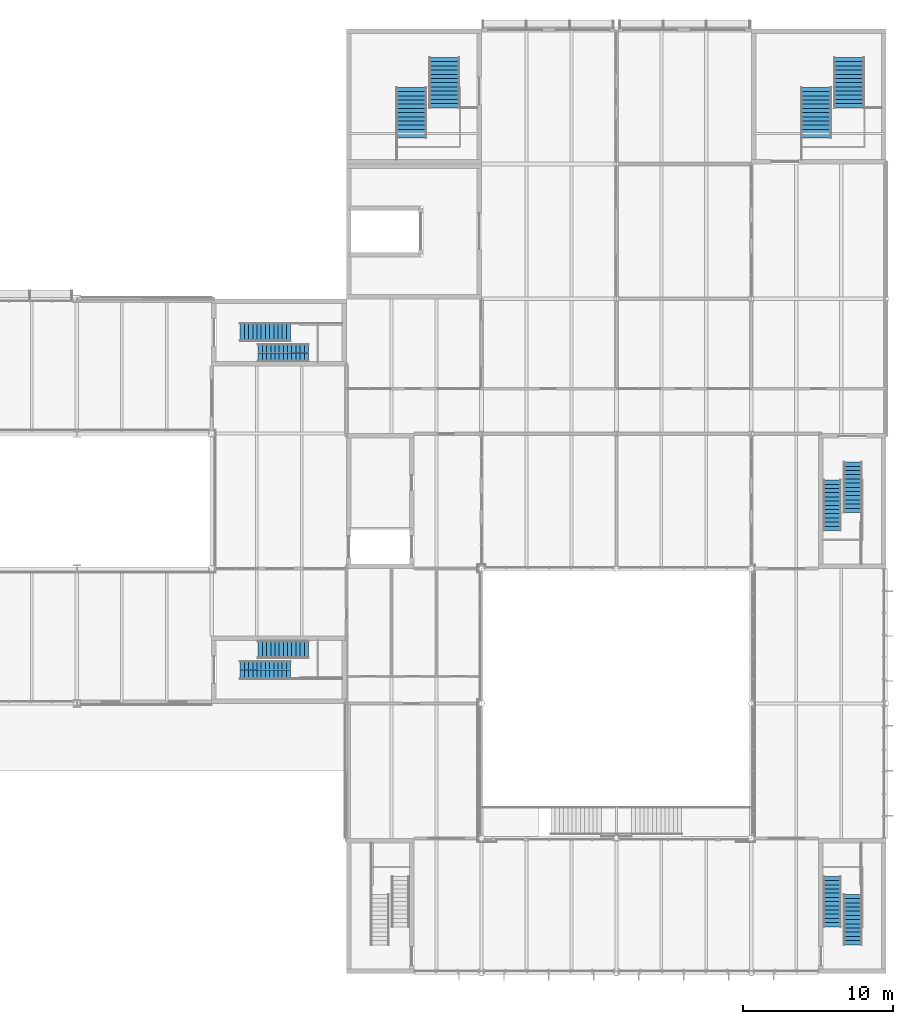
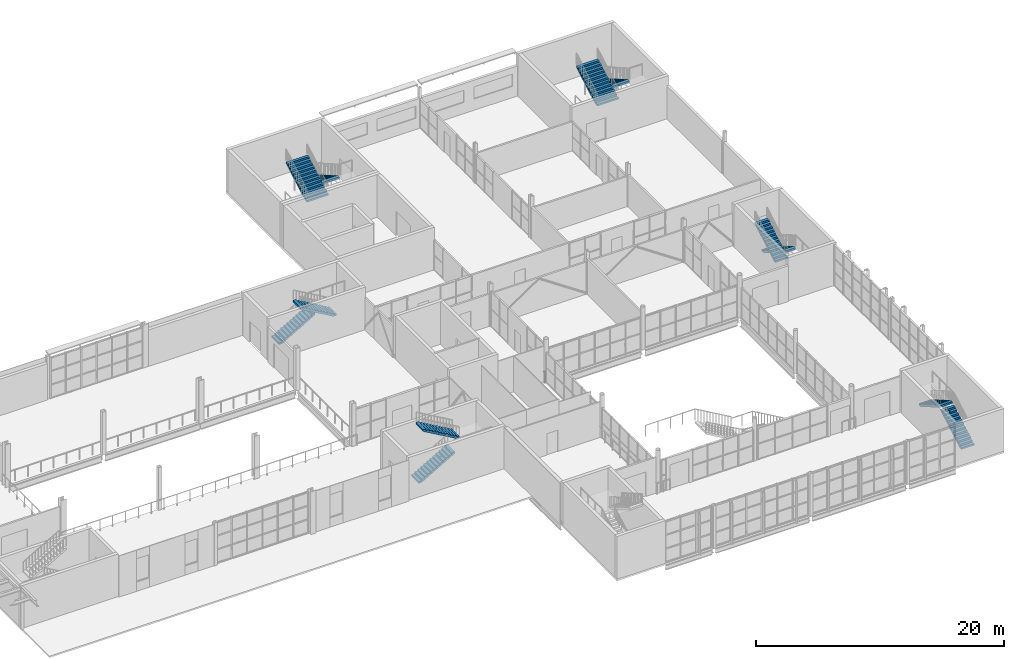
# One storey, part 38 of 57: 12 stair flights, 6 elements without a shape of their own.
"""IFC4 building model written with IfcOpenShell, lengths in metres."""

import ifcopenshell
import ifcopenshell.guid

model = None  # the IFC model being written
_history = None  # IfcOwnerHistory: only IFC2X3 demands one
_inside = {}  # id of a spatial element -> (the spatial element, [elements in it])
_under = {}  # id of a project, library or spatial element -> (it, [spatial elements below it])
_declared = {}  # id of a project -> (the project, [libraries it declares])
_typed = {}  # id of a type object -> (the type object, [elements of that type])
_made_of = {}  # id of a material, layer set ... -> (it, [elements and type objects made of it])


def new_model(schema):
    """Start an empty IFC model of exactly this schema.

    Asked for "IFC4X3", IfcOpenShell would pick the latest addendum, in which some entities
    have other attributes; the version numbers below select the first issue.
    IFC2X3 requires an IfcOwnerHistory on every rooted entity: one is made here for all.
    """
    global model, _history
    if schema == "IFC4X3":
        model = ifcopenshell.file(schema_version=(4, 3, 0, 0))
    else:
        model = ifcopenshell.file(schema=schema)
    _inside.clear()
    _under.clear()
    _declared.clear()
    _typed.clear()
    _made_of.clear()
    _history = None
    if model.schema == "IFC2X3":
        org = make("IfcOrganization", Name="unknown")
        user = make(
            "IfcPersonAndOrganization",
            ThePerson=make("IfcPerson", FamilyName="unknown"),
            TheOrganization=org,
        )
        app = make(
            "IfcApplication",
            ApplicationDeveloper=org,
            Version="unknown",
            ApplicationFullName="unknown",
            ApplicationIdentifier="unknown",
        )
        _history = make(
            "IfcOwnerHistory",
            OwningUser=user,
            OwningApplication=app,
            ChangeAction="ADDED",
            CreationDate=0,
        )
    return model


def make(cls, **values):
    """One entity of the class cls with the attributes given. An attribute that is None is left unset."""
    return model.create_entity(
        cls, **{name: value for name, value in values.items() if value is not None}
    )


def rooted(cls, **values):
    """An entity with a GlobalId (a new one), such as an element, a storey or a relation."""
    return make(cls, GlobalId=ifcopenshell.guid.new(), OwnerHistory=_history, **values)


def si_unit(unit_type, name, prefix=None):
    """IfcSIUnit, for example si_unit("LENGTHUNIT", "METRE", prefix="MILLI")."""
    return make("IfcSIUnit", UnitType=unit_type, Prefix=prefix, Name=name)


def assignment(units):
    """IfcUnitAssignment: the units of a project."""
    return None if units is None else make("IfcUnitAssignment", Units=units)


def point(xyz):
    """IfcCartesianPoint."""
    return None if xyz is None else make("IfcCartesianPoint", Coordinates=xyz)


def direction(xyz):
    """IfcDirection."""
    return None if xyz is None else make("IfcDirection", DirectionRatios=xyz)


def frame(location, z_axis=None, x_axis=None):
    """IfcAxis2Placement3D, a coordinate frame: its origin and axes. An axis left out is left unset."""
    return make(
        "IfcAxis2Placement3D",
        Location=point(location),
        Axis=direction(z_axis),
        RefDirection=direction(x_axis),
    )


def origin():
    """The frame at (0, 0, 0) with its axes left unset."""
    return frame((0.0, 0.0, 0.0))


def place(relative_to, where):
    """IfcLocalPlacement: puts the frame where relative to a parent placement (None: the world)."""
    return make(
        "IfcLocalPlacement", PlacementRelTo=relative_to, RelativePlacement=where
    )


def context(
    kind, dimensions, precision=None, world=None, true_north=None, identifier=None
):
    """IfcGeometricRepresentationContext, for example the 3D "Model" context."""
    return make(
        "IfcGeometricRepresentationContext",
        ContextIdentifier=identifier,
        ContextType=kind,
        CoordinateSpaceDimension=dimensions,
        Precision=precision,
        WorldCoordinateSystem=world,
        TrueNorth=true_north,
    )


def subcontext(parent, identifier, kind, view, scale=None):
    """IfcGeometricRepresentationSubContext, for example "Body" below "Model"."""
    return make(
        "IfcGeometricRepresentationSubContext",
        ContextIdentifier=identifier,
        ContextType=kind,
        ParentContext=parent,
        TargetScale=scale,
        TargetView=view,
    )


def project(units=None, contexts=None):
    """IfcProject with its units and contexts."""
    return rooted(
        "IfcProject",
        Name="project",
        RepresentationContexts=contexts,
        UnitsInContext=assignment(units),
    )


def spatial(cls, under=None, at=None, **own):
    """A site, building, storey or space (cls), placed at a placement, below another one or the project."""
    s = rooted(cls, ObjectPlacement=at, **own)
    if under is not None:
        _under.setdefault(under.id(), (under, []))[1].append(s)
    return s


def polyline(points):
    """IfcPolyline through the points."""
    return make("IfcPolyline", Points=[point(p) for p in points])


def outline(outer, holes=None, kind="AREA"):
    """IfcArbitraryClosedProfileDef: a profile drawn as a closed curve; with holes, ...WithVoids."""
    if holes is None:
        return make("IfcArbitraryClosedProfileDef", ProfileType=kind, OuterCurve=outer)
    return make(
        "IfcArbitraryProfileDefWithVoids",
        ProfileType=kind,
        OuterCurve=outer,
        InnerCurves=holes,
    )


def extrude(swept, where, along, depth):
    """IfcExtrudedAreaSolid: the profile swept, set in the frame where, extruded along a direction by depth."""
    return make(
        "IfcExtrudedAreaSolid",
        SweptArea=swept,
        Position=where,
        ExtrudedDirection=direction(along),
        Depth=depth,
    )


def shape(context_of_items, identifier, shape_type, items):
    """IfcShapeRepresentation: the items that make up one representation, for example the "Body"."""
    return make(
        "IfcShapeRepresentation",
        ContextOfItems=context_of_items,
        RepresentationIdentifier=identifier,
        RepresentationType=shape_type,
        Items=items,
    )


def material(Name=None, Category=None):
    """IfcMaterial."""
    return make("IfcMaterial", Name=Name, Category=Category)


def made_of(thing, what):
    """Note that an element or type object is made of a material, layer set ...; save() writes the relation."""
    if what is not None:
        _made_of.setdefault(what.id(), (what, []))[1].append(thing)
    return thing


def type_object(cls, material=None, **own):
    """A type object (cls), such as IfcWallType, which elements share."""
    return made_of(rooted(cls, **own), material)


def element(
    cls,
    number,
    at=None,
    inside=None,
    cuts=None,
    type_object=None,
    material=None,
    context=None,
    identifier="Body",
    shape_type=None,
    held_by="IfcProductDefinitionShape",
    body=None,
    shapes=None,
    **own,
):
    """One element of the class cls, such as IfcWall. Its Tag is "e" and its number.

    at: its placement. inside: the storey or other place that contains it. cuts: it is an
    opening in that element (IfcRelVoidsElement). A single representation is given by context,
    identifier, shape_type and body (its items); several are given by shapes. held_by: the class
    of the entity that holds the representations. save() writes the other relations.
    """
    e = rooted(cls, Tag="e%d" % number, ObjectPlacement=at, **own)
    if body is not None:
        shapes = [shape(context, identifier, shape_type, body)]
    if shapes is not None:
        e.Representation = make(held_by, Representations=shapes)
    if inside is not None:
        _inside.setdefault(inside.id(), (inside, []))[1].append(e)
    if cuts is not None:
        rooted(
            "IfcRelVoidsElement", RelatingBuildingElement=cuts, RelatedOpeningElement=e
        )
    if type_object is not None:
        _typed.setdefault(type_object.id(), (type_object, []))[1].append(e)
    return made_of(e, material)


def aggregate(whole, parts):
    """IfcRelAggregates: a whole, such as a stair, and the parts it consists of."""
    return rooted("IfcRelAggregates", RelatingObject=whole, RelatedObjects=parts)


def save(model, path):
    """Write the relations noted so far, then the file.

    IfcRelAggregates (storeys below a building ...), IfcRelContainedInSpatialStructure (elements
    in a storey), IfcRelDefinesByType, IfcRelAssociatesMaterial and IfcRelDeclares: one each for
    every whole, place, type object, material and project.
    """
    for whole, parts in _under.values():
        aggregate(whole, parts)
    for where, things in _inside.values():
        rooted(
            "IfcRelContainedInSpatialStructure",
            RelatedElements=things,
            RelatingStructure=where,
        )
    for kind, things in _typed.values():
        rooted("IfcRelDefinesByType", RelatedObjects=things, RelatingType=kind)
    for what, things in _made_of.values():
        rooted("IfcRelAssociatesMaterial", RelatedObjects=things, RelatingMaterial=what)
    for by, libraries in _declared.values():
        rooted("IfcRelDeclares", RelatingContext=by, RelatedDefinitions=libraries)
    model.write(path)


model = new_model("IFC4")

# Units and contexts
model_context = context("Model", 3, precision=1e-05, world=origin(), true_north=direction((0.0, 1.0)))
body_context = subcontext(model_context, "Body", "Model", "MODEL_VIEW")
ifc_project = project(units=[si_unit("LENGTHUNIT", "METRE"), si_unit("AREAUNIT", "SQUARE_METRE"), si_unit("VOLUMEUNIT", "CUBIC_METRE"), si_unit("PLANEANGLEUNIT", "RADIAN"), si_unit("MASSUNIT", "GRAM", prefix="KILO")], contexts=[model_context])

# Site, building, storey
site_placement = place(None, origin())
site = spatial("IfcSite", under=ifc_project, at=site_placement, CompositionType="ELEMENT")
building_placement = place(site_placement, origin())
building = spatial("IfcBuilding", under=site, at=building_placement, Name="Halyard Row Museum", CompositionType="ELEMENT")
storey_placement = place(building_placement, frame((0.0, 0.0, 5.0)))
storey = spatial("IfcBuildingStorey", under=building, at=storey_placement, Name="L01", CompositionType="ELEMENT", Elevation=5.0)

# Stair, stair flights
ifc_material_1 = material(Name="Concrete 40 MPa", Category="concrete")
stair_type_1 = type_object("IfcStairType", Name="Exit stair two flights 1200", PredefinedType="HALF_TURN_STAIR", material=ifc_material_1)
stair_1_placement = place(storey_placement, origin())
stair_1 = element("IfcStair", 1, at=stair_1_placement, inside=storey, type_object=stair_type_1, Name="Exit stair K1B L01", PredefinedType="HALF_TURN_STAIR")
ifc_material_2 = material(Name="Concrete 40 MPa", Category="concrete")
stair_flight_type_1 = type_object("IfcStairFlightType", Name="Exit stair flight 1200", PredefinedType="STRAIGHT", material=ifc_material_2)
stair_flight_1_placement = place(storey_placement, frame((64.89990234375, 42.75, 0.0), z_axis=(0.0, 0.0, 1.0), x_axis=(1.0, 0.0, 0.0)))
stair_flight_1 = element("IfcStairFlight", 2, at=stair_flight_1_placement, type_object=stair_flight_type_1, Name="STK1B-L01 flight 1", NumberOfRisers=13, NumberOfTreads=12, PredefinedType="STRAIGHT", RiserHeight=0.161538462, TreadLength=0.28, context=body_context, shape_type="SweptSolid", body=[
    extrude(outline(polyline([(0.0, 0.0), (0.0, 0.16162109375), (0.280029296875, 0.16162109375), (0.280029296875, 0.322998046875), (0.56005859375, 0.322998046875), (0.56005859375, 0.484619140625), (0.840087890625, 0.484619140625), (0.840087890625, 0.646240234375), (1.1201171875, 0.646240234375), (1.1201171875, 0.8076171875), (1.39990234375, 0.8076171875), (1.39990234375, 0.96923828125), (1.679931640625, 0.96923828125), (1.679931640625, 1.130859375), (1.9599609375, 1.130859375), (1.9599609375, 1.292236328125), (2.239990234375, 1.292236328125), (2.239990234375, 1.453857421875), (2.52001953125, 1.453857421875), (2.52001953125, 1.615478515625), (2.800048828125, 1.615478515625), (2.800048828125, 1.77685546875), (3.080078125, 1.77685546875), (3.080078125, 1.9384765625), (3.360107421875, 1.9384765625), (3.360107421875, 2.10009765625), (3.360107421875, 1.765380859375), (0.300048828125, 0.0), (0.0, 0.0)])), frame((0.0, 0.60009765625, 0.0), z_axis=(0.0, -1.0, 0.0), x_axis=(1.0, 0.0, 0.0)), (0.0, 0.0, 1.0), 0.59912109375),
    extrude(outline(polyline([(0.0, 0.0), (0.0, 0.16162109375), (0.280029296875, 0.16162109375), (0.280029296875, 0.322998046875), (0.56005859375, 0.322998046875), (0.56005859375, 0.484619140625), (0.840087890625, 0.484619140625), (0.840087890625, 0.646240234375), (1.1201171875, 0.646240234375), (1.1201171875, 0.8076171875), (1.39990234375, 0.8076171875), (1.39990234375, 0.96923828125), (1.679931640625, 0.96923828125), (1.679931640625, 1.130859375), (1.9599609375, 1.130859375), (1.9599609375, 1.292236328125), (2.239990234375, 1.292236328125), (2.239990234375, 1.453857421875), (2.52001953125, 1.453857421875), (2.52001953125, 1.615478515625), (2.800048828125, 1.615478515625), (2.800048828125, 1.77685546875), (3.080078125, 1.77685546875), (3.080078125, 1.9384765625), (3.360107421875, 1.9384765625), (3.360107421875, 2.10009765625), (3.360107421875, 1.765380859375), (0.300048828125, 0.0), (0.0, 0.0)])), frame((0.0, -0.0009765625, 0.0), z_axis=(0.0, -1.0, 0.0), x_axis=(1.0, 0.0, 0.0)), (0.0, 0.0, 1.0), 0.59912109375),
])
stair_flight_2_placement = place(storey_placement, frame((69.4599609375, 41.39990234375, 2.10009765625), z_axis=(0.0, 0.0, 1.0), x_axis=(-1.0, 0.0, 0.0)))
stair_flight_2 = element("IfcStairFlight", 3, at=stair_flight_2_placement, type_object=stair_flight_type_1, Name="STK1B-L01 flight 2", NumberOfRisers=13, NumberOfTreads=12, PredefinedType="STRAIGHT", RiserHeight=0.161538462, TreadLength=0.28, context=body_context, shape_type="SweptSolid", body=[
    extrude(outline(polyline([(0.0, 0.0), (0.0, 0.16162109375), (0.280029296875, 0.16162109375), (0.280029296875, 0.322998046875), (0.56005859375, 0.322998046875), (0.56005859375, 0.484619140625), (0.840087890625, 0.484619140625), (0.840087890625, 0.646240234375), (1.1201171875, 0.646240234375), (1.1201171875, 0.8076171875), (1.39990234375, 0.8076171875), (1.39990234375, 0.96923828125), (1.679931640625, 0.96923828125), (1.679931640625, 1.130859375), (1.9599609375, 1.130859375), (1.9599609375, 1.292236328125), (2.239990234375, 1.292236328125), (2.239990234375, 1.453857421875), (2.52001953125, 1.453857421875), (2.52001953125, 1.615478515625), (2.800048828125, 1.615478515625), (2.800048828125, 1.77685546875), (3.080078125, 1.77685546875), (3.080078125, 1.9384765625), (3.360107421875, 1.9384765625), (3.360107421875, 2.10009765625), (3.360107421875, 1.765380859375), (0.300048828125, 0.0), (0.0, 0.0)])), frame((0.0, 0.60009765625, 0.0), z_axis=(0.0, -1.0, 0.0), x_axis=(1.0, 0.0, 0.0)), (0.0, 0.0, 1.0), 0.59912109375),
    extrude(outline(polyline([(0.0, 0.0), (0.0, 0.16162109375), (0.280029296875, 0.16162109375), (0.280029296875, 0.322998046875), (0.56005859375, 0.322998046875), (0.56005859375, 0.484619140625), (0.840087890625, 0.484619140625), (0.840087890625, 0.646240234375), (1.1201171875, 0.646240234375), (1.1201171875, 0.8076171875), (1.39990234375, 0.8076171875), (1.39990234375, 0.96923828125), (1.679931640625, 0.96923828125), (1.679931640625, 1.130859375), (1.9599609375, 1.130859375), (1.9599609375, 1.292236328125), (2.239990234375, 1.292236328125), (2.239990234375, 1.453857421875), (2.52001953125, 1.453857421875), (2.52001953125, 1.615478515625), (2.800048828125, 1.615478515625), (2.800048828125, 1.77685546875), (3.080078125, 1.77685546875), (3.080078125, 1.9384765625), (3.360107421875, 1.9384765625), (3.360107421875, 2.10009765625), (3.360107421875, 1.765380859375), (0.300048828125, 0.0), (0.0, 0.0)])), frame((0.0, -0.0009765625, 0.0), z_axis=(0.0, -1.0, 0.0), x_axis=(1.0, 0.0, 0.0)), (0.0, 0.0, 1.0), 0.59912109375),
])
aggregate(stair_1, [stair_flight_1, stair_flight_2])

stair_2_placement = place(storey_placement, origin())
stair_2 = element("IfcStair", 4, at=stair_2_placement, inside=storey, type_object=stair_type_1, Name="Exit stair K1C L01", PredefinedType="HALF_TURN_STAIR")
stair_flight_3_placement = place(storey_placement, frame((64.89990234375, 20.25, 0.0), z_axis=(0.0, 0.0, 1.0), x_axis=(1.0, 0.0, 0.0)))
stair_flight_3 = element("IfcStairFlight", 5, at=stair_flight_3_placement, type_object=stair_flight_type_1, Name="STK1C-L01 flight 1", NumberOfRisers=13, NumberOfTreads=12, PredefinedType="STRAIGHT", RiserHeight=0.161538462, TreadLength=0.28, context=body_context, shape_type="SweptSolid", body=[
    extrude(outline(polyline([(0.0, 0.0), (0.0, 0.16162109375), (0.280029296875, 0.16162109375), (0.280029296875, 0.322998046875), (0.56005859375, 0.322998046875), (0.56005859375, 0.484619140625), (0.840087890625, 0.484619140625), (0.840087890625, 0.646240234375), (1.1201171875, 0.646240234375), (1.1201171875, 0.8076171875), (1.39990234375, 0.8076171875), (1.39990234375, 0.96923828125), (1.679931640625, 0.96923828125), (1.679931640625, 1.130859375), (1.9599609375, 1.130859375), (1.9599609375, 1.292236328125), (2.239990234375, 1.292236328125), (2.239990234375, 1.453857421875), (2.52001953125, 1.453857421875), (2.52001953125, 1.615478515625), (2.800048828125, 1.615478515625), (2.800048828125, 1.77685546875), (3.080078125, 1.77685546875), (3.080078125, 1.9384765625), (3.360107421875, 1.9384765625), (3.360107421875, 2.10009765625), (3.360107421875, 1.765380859375), (0.300048828125, 0.0), (0.0, 0.0)])), frame((0.0, 0.60009765625, 0.0), z_axis=(0.0, -1.0, 0.0), x_axis=(1.0, 0.0, 0.0)), (0.0, 0.0, 1.0), 0.59912109375),
    extrude(outline(polyline([(0.0, 0.0), (0.0, 0.16162109375), (0.280029296875, 0.16162109375), (0.280029296875, 0.322998046875), (0.56005859375, 0.322998046875), (0.56005859375, 0.484619140625), (0.840087890625, 0.484619140625), (0.840087890625, 0.646240234375), (1.1201171875, 0.646240234375), (1.1201171875, 0.8076171875), (1.39990234375, 0.8076171875), (1.39990234375, 0.96923828125), (1.679931640625, 0.96923828125), (1.679931640625, 1.130859375), (1.9599609375, 1.130859375), (1.9599609375, 1.292236328125), (2.239990234375, 1.292236328125), (2.239990234375, 1.453857421875), (2.52001953125, 1.453857421875), (2.52001953125, 1.615478515625), (2.800048828125, 1.615478515625), (2.800048828125, 1.77685546875), (3.080078125, 1.77685546875), (3.080078125, 1.9384765625), (3.360107421875, 1.9384765625), (3.360107421875, 2.10009765625), (3.360107421875, 1.765380859375), (0.300048828125, 0.0), (0.0, 0.0)])), frame((0.0, -0.0009765625, 0.0), z_axis=(0.0, -1.0, 0.0), x_axis=(1.0, 0.0, 0.0)), (0.0, 0.0, 1.0), 0.59912109375),
])
stair_flight_4_placement = place(storey_placement, frame((69.4599609375, 21.60009765625, 2.10009765625), z_axis=(0.0, 0.0, 1.0), x_axis=(-1.0, 0.0, 0.0)))
stair_flight_4 = element("IfcStairFlight", 6, at=stair_flight_4_placement, type_object=stair_flight_type_1, Name="STK1C-L01 flight 2", NumberOfRisers=13, NumberOfTreads=12, PredefinedType="STRAIGHT", RiserHeight=0.161538462, TreadLength=0.28, context=body_context, shape_type="SweptSolid", body=[
    extrude(outline(polyline([(0.0, 0.0), (0.0, 0.16162109375), (0.280029296875, 0.16162109375), (0.280029296875, 0.322998046875), (0.56005859375, 0.322998046875), (0.56005859375, 0.484619140625), (0.840087890625, 0.484619140625), (0.840087890625, 0.646240234375), (1.1201171875, 0.646240234375), (1.1201171875, 0.8076171875), (1.39990234375, 0.8076171875), (1.39990234375, 0.96923828125), (1.679931640625, 0.96923828125), (1.679931640625, 1.130859375), (1.9599609375, 1.130859375), (1.9599609375, 1.292236328125), (2.239990234375, 1.292236328125), (2.239990234375, 1.453857421875), (2.52001953125, 1.453857421875), (2.52001953125, 1.615478515625), (2.800048828125, 1.615478515625), (2.800048828125, 1.77685546875), (3.080078125, 1.77685546875), (3.080078125, 1.9384765625), (3.360107421875, 1.9384765625), (3.360107421875, 2.10009765625), (3.360107421875, 1.765380859375), (0.300048828125, 0.0), (0.0, 0.0)])), frame((0.0, 0.60009765625, 0.0), z_axis=(0.0, -1.0, 0.0), x_axis=(1.0, 0.0, 0.0)), (0.0, 0.0, 1.0), 0.59912109375),
    extrude(outline(polyline([(0.0, 0.0), (0.0, 0.16162109375), (0.280029296875, 0.16162109375), (0.280029296875, 0.322998046875), (0.56005859375, 0.322998046875), (0.56005859375, 0.484619140625), (0.840087890625, 0.484619140625), (0.840087890625, 0.646240234375), (1.1201171875, 0.646240234375), (1.1201171875, 0.8076171875), (1.39990234375, 0.8076171875), (1.39990234375, 0.96923828125), (1.679931640625, 0.96923828125), (1.679931640625, 1.130859375), (1.9599609375, 1.130859375), (1.9599609375, 1.292236328125), (2.239990234375, 1.292236328125), (2.239990234375, 1.453857421875), (2.52001953125, 1.453857421875), (2.52001953125, 1.615478515625), (2.800048828125, 1.615478515625), (2.800048828125, 1.77685546875), (3.080078125, 1.77685546875), (3.080078125, 1.9384765625), (3.360107421875, 1.9384765625), (3.360107421875, 2.10009765625), (3.360107421875, 1.765380859375), (0.300048828125, 0.0), (0.0, 0.0)])), frame((0.0, -0.0009765625, 0.0), z_axis=(0.0, -1.0, 0.0), x_axis=(1.0, 0.0, 0.0)), (0.0, 0.0, 1.0), 0.59912109375),
])
aggregate(stair_2, [stair_flight_3, stair_flight_4])

stair_3_placement = place(storey_placement, origin())
stair_3 = element("IfcStair", 7, at=stair_3_placement, inside=storey, type_object=stair_type_1, Name="Exit stair K2B L01", PredefinedType="HALF_TURN_STAIR")
stair_flight_5_placement = place(storey_placement, frame((105.75, 1.89990234375, 0.0), z_axis=(0.0, 0.0, 1.0), x_axis=(0.0, 1.0, 0.0)))
stair_flight_5 = element("IfcStairFlight", 8, at=stair_flight_5_placement, type_object=stair_flight_type_1, Name="STK2B-L01 flight 1", NumberOfRisers=13, NumberOfTreads=12, PredefinedType="STRAIGHT", RiserHeight=0.161538462, TreadLength=0.28, context=body_context, shape_type="SweptSolid", body=[
    extrude(outline(polyline([(0.0, 0.0), (0.0, 0.16162109375), (0.280029296875, 0.16162109375), (0.280029296875, 0.322998046875), (0.56005859375, 0.322998046875), (0.56005859375, 0.484619140625), (0.840087890625, 0.484619140625), (0.840087890625, 0.646240234375), (1.1201171875, 0.646240234375), (1.1201171875, 0.8076171875), (1.39990234375, 0.8076171875), (1.39990234375, 0.96923828125), (1.679931640625, 0.96923828125), (1.679931640625, 1.130859375), (1.9599609375, 1.130859375), (1.9599609375, 1.292236328125), (2.239990234375, 1.292236328125), (2.239990234375, 1.453857421875), (2.52001953125, 1.453857421875), (2.52001953125, 1.615478515625), (2.800048828125, 1.615478515625), (2.800048828125, 1.77685546875), (3.080078125, 1.77685546875), (3.080078125, 1.9384765625), (3.360107421875, 1.9384765625), (3.360107421875, 2.10009765625), (3.360107421875, 1.765380859375), (0.300048828125, 0.0), (0.0, 0.0)])), frame((0.0, 0.60009765625, 0.0), z_axis=(0.0, -1.0, 0.0), x_axis=(1.0, 0.0, 0.0)), (0.0, 0.0, 1.0), 0.59912109375),
    extrude(outline(polyline([(0.0, 0.0), (0.0, 0.16162109375), (0.280029296875, 0.16162109375), (0.280029296875, 0.322998046875), (0.56005859375, 0.322998046875), (0.56005859375, 0.484619140625), (0.840087890625, 0.484619140625), (0.840087890625, 0.646240234375), (1.1201171875, 0.646240234375), (1.1201171875, 0.8076171875), (1.39990234375, 0.8076171875), (1.39990234375, 0.96923828125), (1.679931640625, 0.96923828125), (1.679931640625, 1.130859375), (1.9599609375, 1.130859375), (1.9599609375, 1.292236328125), (2.239990234375, 1.292236328125), (2.239990234375, 1.453857421875), (2.52001953125, 1.453857421875), (2.52001953125, 1.615478515625), (2.800048828125, 1.615478515625), (2.800048828125, 1.77685546875), (3.080078125, 1.77685546875), (3.080078125, 1.9384765625), (3.360107421875, 1.9384765625), (3.360107421875, 2.10009765625), (3.360107421875, 1.765380859375), (0.300048828125, 0.0), (0.0, 0.0)])), frame((0.0, -0.0009765625, 0.0), z_axis=(0.0, -1.0, 0.0), x_axis=(1.0, 0.0, 0.0)), (0.0, 0.0, 1.0), 0.59912109375),
])
stair_flight_6_placement = place(storey_placement, frame((104.39990234375, 6.4599609375, 2.10009765625), z_axis=(0.0, 0.0, 1.0), x_axis=(0.0, -1.0, 0.0)))
stair_flight_6 = element("IfcStairFlight", 9, at=stair_flight_6_placement, type_object=stair_flight_type_1, Name="STK2B-L01 flight 2", NumberOfRisers=13, NumberOfTreads=12, PredefinedType="STRAIGHT", RiserHeight=0.161538462, TreadLength=0.28, context=body_context, shape_type="SweptSolid", body=[
    extrude(outline(polyline([(0.0, 0.0), (0.0, 0.16162109375), (0.280029296875, 0.16162109375), (0.280029296875, 0.322998046875), (0.56005859375, 0.322998046875), (0.56005859375, 0.484619140625), (0.840087890625, 0.484619140625), (0.840087890625, 0.646240234375), (1.1201171875, 0.646240234375), (1.1201171875, 0.8076171875), (1.39990234375, 0.8076171875), (1.39990234375, 0.96923828125), (1.679931640625, 0.96923828125), (1.679931640625, 1.130859375), (1.9599609375, 1.130859375), (1.9599609375, 1.292236328125), (2.239990234375, 1.292236328125), (2.239990234375, 1.453857421875), (2.52001953125, 1.453857421875), (2.52001953125, 1.615478515625), (2.800048828125, 1.615478515625), (2.800048828125, 1.77685546875), (3.080078125, 1.77685546875), (3.080078125, 1.9384765625), (3.360107421875, 1.9384765625), (3.360107421875, 2.10009765625), (3.360107421875, 1.765380859375), (0.300048828125, 0.0), (0.0, 0.0)])), frame((0.0, 0.60009765625, 0.0), z_axis=(0.0, -1.0, 0.0), x_axis=(1.0, 0.0, 0.0)), (0.0, 0.0, 1.0), 0.59912109375),
    extrude(outline(polyline([(0.0, 0.0), (0.0, 0.16162109375), (0.280029296875, 0.16162109375), (0.280029296875, 0.322998046875), (0.56005859375, 0.322998046875), (0.56005859375, 0.484619140625), (0.840087890625, 0.484619140625), (0.840087890625, 0.646240234375), (1.1201171875, 0.646240234375), (1.1201171875, 0.8076171875), (1.39990234375, 0.8076171875), (1.39990234375, 0.96923828125), (1.679931640625, 0.96923828125), (1.679931640625, 1.130859375), (1.9599609375, 1.130859375), (1.9599609375, 1.292236328125), (2.239990234375, 1.292236328125), (2.239990234375, 1.453857421875), (2.52001953125, 1.453857421875), (2.52001953125, 1.615478515625), (2.800048828125, 1.615478515625), (2.800048828125, 1.77685546875), (3.080078125, 1.77685546875), (3.080078125, 1.9384765625), (3.360107421875, 1.9384765625), (3.360107421875, 2.10009765625), (3.360107421875, 1.765380859375), (0.300048828125, 0.0), (0.0, 0.0)])), frame((0.0, -0.0009765625, 0.0), z_axis=(0.0, -1.0, 0.0), x_axis=(1.0, 0.0, 0.0)), (0.0, 0.0, 1.0), 0.59912109375),
])
aggregate(stair_3, [stair_flight_5, stair_flight_6])

stair_4_placement = place(storey_placement, origin())
stair_4 = element("IfcStair", 10, at=stair_4_placement, inside=storey, type_object=stair_type_1, Name="Exit stair K2C L01", PredefinedType="HALF_TURN_STAIR")
stair_flight_7_placement = place(storey_placement, frame((105.75, 34.10009765625, 0.0), z_axis=(0.0, 0.0, 1.0), x_axis=(0.0, -1.0, 0.0)))
stair_flight_7 = element("IfcStairFlight", 11, at=stair_flight_7_placement, type_object=stair_flight_type_1, Name="STK2C-L01 flight 1", NumberOfRisers=13, NumberOfTreads=12, PredefinedType="STRAIGHT", RiserHeight=0.161538462, TreadLength=0.28, context=body_context, shape_type="SweptSolid", body=[
    extrude(outline(polyline([(0.0, 0.0), (0.0, 0.16162109375), (0.280029296875, 0.16162109375), (0.280029296875, 0.322998046875), (0.56005859375, 0.322998046875), (0.56005859375, 0.484619140625), (0.840087890625, 0.484619140625), (0.840087890625, 0.646240234375), (1.1201171875, 0.646240234375), (1.1201171875, 0.8076171875), (1.39990234375, 0.8076171875), (1.39990234375, 0.96923828125), (1.679931640625, 0.96923828125), (1.679931640625, 1.130859375), (1.9599609375, 1.130859375), (1.9599609375, 1.292236328125), (2.239990234375, 1.292236328125), (2.239990234375, 1.453857421875), (2.52001953125, 1.453857421875), (2.52001953125, 1.615478515625), (2.800048828125, 1.615478515625), (2.800048828125, 1.77685546875), (3.080078125, 1.77685546875), (3.080078125, 1.9384765625), (3.360107421875, 1.9384765625), (3.360107421875, 2.10009765625), (3.360107421875, 1.765380859375), (0.300048828125, 0.0), (0.0, 0.0)])), frame((0.0, 0.60009765625, 0.0), z_axis=(0.0, -1.0, 0.0), x_axis=(1.0, 0.0, 0.0)), (0.0, 0.0, 1.0), 0.59912109375),
    extrude(outline(polyline([(0.0, 0.0), (0.0, 0.16162109375), (0.280029296875, 0.16162109375), (0.280029296875, 0.322998046875), (0.56005859375, 0.322998046875), (0.56005859375, 0.484619140625), (0.840087890625, 0.484619140625), (0.840087890625, 0.646240234375), (1.1201171875, 0.646240234375), (1.1201171875, 0.8076171875), (1.39990234375, 0.8076171875), (1.39990234375, 0.96923828125), (1.679931640625, 0.96923828125), (1.679931640625, 1.130859375), (1.9599609375, 1.130859375), (1.9599609375, 1.292236328125), (2.239990234375, 1.292236328125), (2.239990234375, 1.453857421875), (2.52001953125, 1.453857421875), (2.52001953125, 1.615478515625), (2.800048828125, 1.615478515625), (2.800048828125, 1.77685546875), (3.080078125, 1.77685546875), (3.080078125, 1.9384765625), (3.360107421875, 1.9384765625), (3.360107421875, 2.10009765625), (3.360107421875, 1.765380859375), (0.300048828125, 0.0), (0.0, 0.0)])), frame((0.0, -0.0009765625, 0.0), z_axis=(0.0, -1.0, 0.0), x_axis=(1.0, 0.0, 0.0)), (0.0, 0.0, 1.0), 0.59912109375),
])
stair_flight_8_placement = place(storey_placement, frame((104.39990234375, 29.5400390625, 2.10009765625), z_axis=(0.0, 0.0, 1.0), x_axis=(0.0, 1.0, 0.0)))
stair_flight_8 = element("IfcStairFlight", 12, at=stair_flight_8_placement, type_object=stair_flight_type_1, Name="STK2C-L01 flight 2", NumberOfRisers=13, NumberOfTreads=12, PredefinedType="STRAIGHT", RiserHeight=0.161538462, TreadLength=0.28, context=body_context, shape_type="SweptSolid", body=[
    extrude(outline(polyline([(0.0, 0.0), (0.0, 0.16162109375), (0.280029296875, 0.16162109375), (0.280029296875, 0.322998046875), (0.56005859375, 0.322998046875), (0.56005859375, 0.484619140625), (0.840087890625, 0.484619140625), (0.840087890625, 0.646240234375), (1.1201171875, 0.646240234375), (1.1201171875, 0.8076171875), (1.39990234375, 0.8076171875), (1.39990234375, 0.96923828125), (1.679931640625, 0.96923828125), (1.679931640625, 1.130859375), (1.9599609375, 1.130859375), (1.9599609375, 1.292236328125), (2.239990234375, 1.292236328125), (2.239990234375, 1.453857421875), (2.52001953125, 1.453857421875), (2.52001953125, 1.615478515625), (2.800048828125, 1.615478515625), (2.800048828125, 1.77685546875), (3.080078125, 1.77685546875), (3.080078125, 1.9384765625), (3.360107421875, 1.9384765625), (3.360107421875, 2.10009765625), (3.360107421875, 1.765380859375), (0.300048828125, 0.0), (0.0, 0.0)])), frame((0.0, 0.60009765625, 0.0), z_axis=(0.0, -1.0, 0.0), x_axis=(1.0, 0.0, 0.0)), (0.0, 0.0, 1.0), 0.59912109375),
    extrude(outline(polyline([(0.0, 0.0), (0.0, 0.16162109375), (0.280029296875, 0.16162109375), (0.280029296875, 0.322998046875), (0.56005859375, 0.322998046875), (0.56005859375, 0.484619140625), (0.840087890625, 0.484619140625), (0.840087890625, 0.646240234375), (1.1201171875, 0.646240234375), (1.1201171875, 0.8076171875), (1.39990234375, 0.8076171875), (1.39990234375, 0.96923828125), (1.679931640625, 0.96923828125), (1.679931640625, 1.130859375), (1.9599609375, 1.130859375), (1.9599609375, 1.292236328125), (2.239990234375, 1.292236328125), (2.239990234375, 1.453857421875), (2.52001953125, 1.453857421875), (2.52001953125, 1.615478515625), (2.800048828125, 1.615478515625), (2.800048828125, 1.77685546875), (3.080078125, 1.77685546875), (3.080078125, 1.9384765625), (3.360107421875, 1.9384765625), (3.360107421875, 2.10009765625), (3.360107421875, 1.765380859375), (0.300048828125, 0.0), (0.0, 0.0)])), frame((0.0, -0.0009765625, 0.0), z_axis=(0.0, -1.0, 0.0), x_axis=(1.0, 0.0, 0.0)), (0.0, 0.0, 1.0), 0.59912109375),
])
aggregate(stair_4, [stair_flight_7, stair_flight_8])

ifc_material_3 = material(Name="Concrete 40 MPa", Category="concrete")
stair_type_2 = type_object("IfcStairType", Name="Exit stair two flights 2000", PredefinedType="HALF_TURN_STAIR", material=ifc_material_3)
stair_5_placement = place(storey_placement, origin())
stair_5 = element("IfcStair", 13, at=stair_5_placement, inside=storey, type_object=stair_type_2, Name="Exit stair K5A L01", PredefinedType="HALF_TURN_STAIR")
ifc_material_4 = material(Name="Concrete 40 MPa", Category="concrete")
stair_flight_type_2 = type_object("IfcStairFlightType", Name="Exit stair flight 2000", PredefinedType="STRAIGHT", material=ifc_material_4)
stair_flight_9_placement = place(storey_placement, frame((78.5, 61.10009765625, 0.0), z_axis=(0.0, 0.0, 1.0), x_axis=(0.0, -1.0, 0.0)))
stair_flight_9 = element("IfcStairFlight", 14, at=stair_flight_9_placement, type_object=stair_flight_type_2, Name="STK5A-L01 flight 1", NumberOfRisers=13, NumberOfTreads=12, PredefinedType="STRAIGHT", RiserHeight=0.161538462, TreadLength=0.28, context=body_context, shape_type="SweptSolid", body=[
    extrude(outline(polyline([(0.0, 0.0), (0.0, 0.16162109375), (0.280029296875, 0.16162109375), (0.280029296875, 0.322998046875), (0.56005859375, 0.322998046875), (0.56005859375, 0.484619140625), (0.840087890625, 0.484619140625), (0.840087890625, 0.646240234375), (1.1201171875, 0.646240234375), (1.1201171875, 0.8076171875), (1.39990234375, 0.8076171875), (1.39990234375, 0.96923828125), (1.679931640625, 0.96923828125), (1.679931640625, 1.130859375), (1.9599609375, 1.130859375), (1.9599609375, 1.292236328125), (2.239990234375, 1.292236328125), (2.239990234375, 1.453857421875), (2.52001953125, 1.453857421875), (2.52001953125, 1.615478515625), (2.800048828125, 1.615478515625), (2.800048828125, 1.77685546875), (3.080078125, 1.77685546875), (3.080078125, 1.9384765625), (3.360107421875, 1.9384765625), (3.360107421875, 2.10009765625), (3.360107421875, 1.765380859375), (0.300048828125, 0.0), (0.0, 0.0)])), frame((0.0, 1.0, 0.0), z_axis=(0.0, -1.0, 0.0), x_axis=(1.0, 0.0, 0.0)), (0.0, 0.0, 1.0), 0.9990234375),
    extrude(outline(polyline([(0.0, 0.0), (0.0, 0.16162109375), (0.280029296875, 0.16162109375), (0.280029296875, 0.322998046875), (0.56005859375, 0.322998046875), (0.56005859375, 0.484619140625), (0.840087890625, 0.484619140625), (0.840087890625, 0.646240234375), (1.1201171875, 0.646240234375), (1.1201171875, 0.8076171875), (1.39990234375, 0.8076171875), (1.39990234375, 0.96923828125), (1.679931640625, 0.96923828125), (1.679931640625, 1.130859375), (1.9599609375, 1.130859375), (1.9599609375, 1.292236328125), (2.239990234375, 1.292236328125), (2.239990234375, 1.453857421875), (2.52001953125, 1.453857421875), (2.52001953125, 1.615478515625), (2.800048828125, 1.615478515625), (2.800048828125, 1.77685546875), (3.080078125, 1.77685546875), (3.080078125, 1.9384765625), (3.360107421875, 1.9384765625), (3.360107421875, 2.10009765625), (3.360107421875, 1.765380859375), (0.300048828125, 0.0), (0.0, 0.0)])), frame((0.0, -0.0009765625, 0.0), z_axis=(0.0, -1.0, 0.0), x_axis=(1.0, 0.0, 0.0)), (0.0, 0.0, 1.0), 0.9990234375),
])
stair_flight_10_placement = place(storey_placement, frame((76.35009765625, 55.739990234375, 2.10009765625), z_axis=(0.0, 0.0, 1.0), x_axis=(0.0, 1.0, 0.0)))
stair_flight_10 = element("IfcStairFlight", 15, at=stair_flight_10_placement, type_object=stair_flight_type_2, Name="STK5A-L01 flight 2", NumberOfRisers=13, NumberOfTreads=12, PredefinedType="STRAIGHT", RiserHeight=0.161538462, TreadLength=0.28, context=body_context, shape_type="SweptSolid", body=[
    extrude(outline(polyline([(0.0, 0.0), (0.0, 0.16162109375), (0.280029296875, 0.16162109375), (0.280029296875, 0.322998046875), (0.56005859375, 0.322998046875), (0.56005859375, 0.484619140625), (0.840087890625, 0.484619140625), (0.840087890625, 0.646240234375), (1.1201171875, 0.646240234375), (1.1201171875, 0.8076171875), (1.39990234375, 0.8076171875), (1.39990234375, 0.96923828125), (1.679931640625, 0.96923828125), (1.679931640625, 1.130859375), (1.9599609375, 1.130859375), (1.9599609375, 1.292236328125), (2.239990234375, 1.292236328125), (2.239990234375, 1.453857421875), (2.52001953125, 1.453857421875), (2.52001953125, 1.615478515625), (2.800048828125, 1.615478515625), (2.800048828125, 1.77685546875), (3.080078125, 1.77685546875), (3.080078125, 1.9384765625), (3.360107421875, 1.9384765625), (3.360107421875, 2.10009765625), (3.360107421875, 1.765380859375), (0.300048828125, 0.0), (0.0, 0.0)])), frame((0.0, 1.0, 0.0), z_axis=(0.0, -1.0, 0.0), x_axis=(1.0, 0.0, 0.0)), (0.0, 0.0, 1.0), 0.9990234375),
    extrude(outline(polyline([(0.0, 0.0), (0.0, 0.16162109375), (0.280029296875, 0.16162109375), (0.280029296875, 0.322998046875), (0.56005859375, 0.322998046875), (0.56005859375, 0.484619140625), (0.840087890625, 0.484619140625), (0.840087890625, 0.646240234375), (1.1201171875, 0.646240234375), (1.1201171875, 0.8076171875), (1.39990234375, 0.8076171875), (1.39990234375, 0.96923828125), (1.679931640625, 0.96923828125), (1.679931640625, 1.130859375), (1.9599609375, 1.130859375), (1.9599609375, 1.292236328125), (2.239990234375, 1.292236328125), (2.239990234375, 1.453857421875), (2.52001953125, 1.453857421875), (2.52001953125, 1.615478515625), (2.800048828125, 1.615478515625), (2.800048828125, 1.77685546875), (3.080078125, 1.77685546875), (3.080078125, 1.9384765625), (3.360107421875, 1.9384765625), (3.360107421875, 2.10009765625), (3.360107421875, 1.765380859375), (0.300048828125, 0.0), (0.0, 0.0)])), frame((0.0, -0.0009765625, 0.0), z_axis=(0.0, -1.0, 0.0), x_axis=(1.0, 0.0, 0.0)), (0.0, 0.0, 1.0), 0.9990234375),
])
aggregate(stair_5, [stair_flight_9, stair_flight_10])

stair_6_placement = place(storey_placement, origin())
stair_6 = element("IfcStair", 16, at=stair_6_placement, inside=storey, type_object=stair_type_2, Name="Exit stair K5B L01", PredefinedType="HALF_TURN_STAIR")
stair_flight_11_placement = place(storey_placement, frame((105.5, 61.10009765625, 0.0), z_axis=(0.0, 0.0, 1.0), x_axis=(0.0, -1.0, 0.0)))
stair_flight_11 = element("IfcStairFlight", 17, at=stair_flight_11_placement, type_object=stair_flight_type_2, Name="STK5B-L01 flight 1", NumberOfRisers=13, NumberOfTreads=12, PredefinedType="STRAIGHT", RiserHeight=0.161538462, TreadLength=0.28, context=body_context, shape_type="SweptSolid", body=[
    extrude(outline(polyline([(0.0, 0.0), (0.0, 0.16162109375), (0.280029296875, 0.16162109375), (0.280029296875, 0.322998046875), (0.56005859375, 0.322998046875), (0.56005859375, 0.484619140625), (0.840087890625, 0.484619140625), (0.840087890625, 0.646240234375), (1.1201171875, 0.646240234375), (1.1201171875, 0.8076171875), (1.39990234375, 0.8076171875), (1.39990234375, 0.96923828125), (1.679931640625, 0.96923828125), (1.679931640625, 1.130859375), (1.9599609375, 1.130859375), (1.9599609375, 1.292236328125), (2.239990234375, 1.292236328125), (2.239990234375, 1.453857421875), (2.52001953125, 1.453857421875), (2.52001953125, 1.615478515625), (2.800048828125, 1.615478515625), (2.800048828125, 1.77685546875), (3.080078125, 1.77685546875), (3.080078125, 1.9384765625), (3.360107421875, 1.9384765625), (3.360107421875, 2.10009765625), (3.360107421875, 1.765380859375), (0.300048828125, 0.0), (0.0, 0.0)])), frame((0.0, 1.0, 0.0), z_axis=(0.0, -1.0, 0.0), x_axis=(1.0, 0.0, 0.0)), (0.0, 0.0, 1.0), 0.9990234375),
    extrude(outline(polyline([(0.0, 0.0), (0.0, 0.16162109375), (0.280029296875, 0.16162109375), (0.280029296875, 0.322998046875), (0.56005859375, 0.322998046875), (0.56005859375, 0.484619140625), (0.840087890625, 0.484619140625), (0.840087890625, 0.646240234375), (1.1201171875, 0.646240234375), (1.1201171875, 0.8076171875), (1.39990234375, 0.8076171875), (1.39990234375, 0.96923828125), (1.679931640625, 0.96923828125), (1.679931640625, 1.130859375), (1.9599609375, 1.130859375), (1.9599609375, 1.292236328125), (2.239990234375, 1.292236328125), (2.239990234375, 1.453857421875), (2.52001953125, 1.453857421875), (2.52001953125, 1.615478515625), (2.800048828125, 1.615478515625), (2.800048828125, 1.77685546875), (3.080078125, 1.77685546875), (3.080078125, 1.9384765625), (3.360107421875, 1.9384765625), (3.360107421875, 2.10009765625), (3.360107421875, 1.765380859375), (0.300048828125, 0.0), (0.0, 0.0)])), frame((0.0, -0.0009765625, 0.0), z_axis=(0.0, -1.0, 0.0), x_axis=(1.0, 0.0, 0.0)), (0.0, 0.0, 1.0), 0.9990234375),
])
stair_flight_12_placement = place(storey_placement, frame((103.35009765625, 55.739990234375, 2.10009765625), z_axis=(0.0, 0.0, 1.0), x_axis=(0.0, 1.0, 0.0)))
stair_flight_12 = element("IfcStairFlight", 18, at=stair_flight_12_placement, type_object=stair_flight_type_2, Name="STK5B-L01 flight 2", NumberOfRisers=13, NumberOfTreads=12, PredefinedType="STRAIGHT", RiserHeight=0.161538462, TreadLength=0.28, context=body_context, shape_type="SweptSolid", body=[
    extrude(outline(polyline([(0.0, 0.0), (0.0, 0.16162109375), (0.280029296875, 0.16162109375), (0.280029296875, 0.322998046875), (0.56005859375, 0.322998046875), (0.56005859375, 0.484619140625), (0.840087890625, 0.484619140625), (0.840087890625, 0.646240234375), (1.1201171875, 0.646240234375), (1.1201171875, 0.8076171875), (1.39990234375, 0.8076171875), (1.39990234375, 0.96923828125), (1.679931640625, 0.96923828125), (1.679931640625, 1.130859375), (1.9599609375, 1.130859375), (1.9599609375, 1.292236328125), (2.239990234375, 1.292236328125), (2.239990234375, 1.453857421875), (2.52001953125, 1.453857421875), (2.52001953125, 1.615478515625), (2.800048828125, 1.615478515625), (2.800048828125, 1.77685546875), (3.080078125, 1.77685546875), (3.080078125, 1.9384765625), (3.360107421875, 1.9384765625), (3.360107421875, 2.10009765625), (3.360107421875, 1.765380859375), (0.300048828125, 0.0), (0.0, 0.0)])), frame((0.0, 1.0, 0.0), z_axis=(0.0, -1.0, 0.0), x_axis=(1.0, 0.0, 0.0)), (0.0, 0.0, 1.0), 0.9990234375),
    extrude(outline(polyline([(0.0, 0.0), (0.0, 0.16162109375), (0.280029296875, 0.16162109375), (0.280029296875, 0.322998046875), (0.56005859375, 0.322998046875), (0.56005859375, 0.484619140625), (0.840087890625, 0.484619140625), (0.840087890625, 0.646240234375), (1.1201171875, 0.646240234375), (1.1201171875, 0.8076171875), (1.39990234375, 0.8076171875), (1.39990234375, 0.96923828125), (1.679931640625, 0.96923828125), (1.679931640625, 1.130859375), (1.9599609375, 1.130859375), (1.9599609375, 1.292236328125), (2.239990234375, 1.292236328125), (2.239990234375, 1.453857421875), (2.52001953125, 1.453857421875), (2.52001953125, 1.615478515625), (2.800048828125, 1.615478515625), (2.800048828125, 1.77685546875), (3.080078125, 1.77685546875), (3.080078125, 1.9384765625), (3.360107421875, 1.9384765625), (3.360107421875, 2.10009765625), (3.360107421875, 1.765380859375), (0.300048828125, 0.0), (0.0, 0.0)])), frame((0.0, -0.0009765625, 0.0), z_axis=(0.0, -1.0, 0.0), x_axis=(1.0, 0.0, 0.0)), (0.0, 0.0, 1.0), 0.9990234375),
])
aggregate(stair_6, [stair_flight_11, stair_flight_12])

save(model, "model.ifc")
